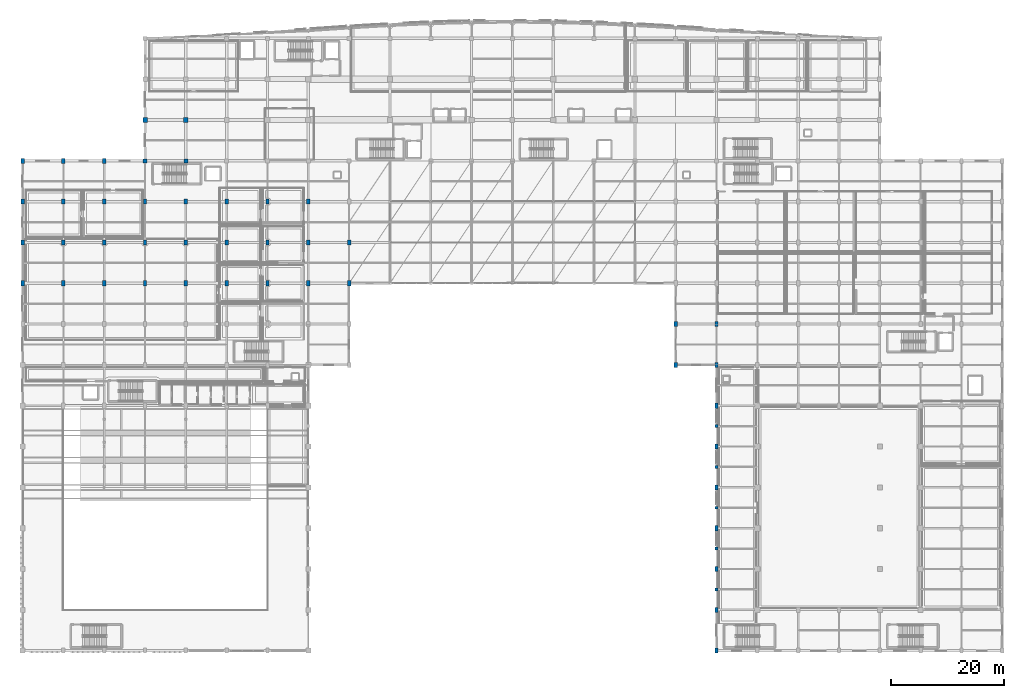
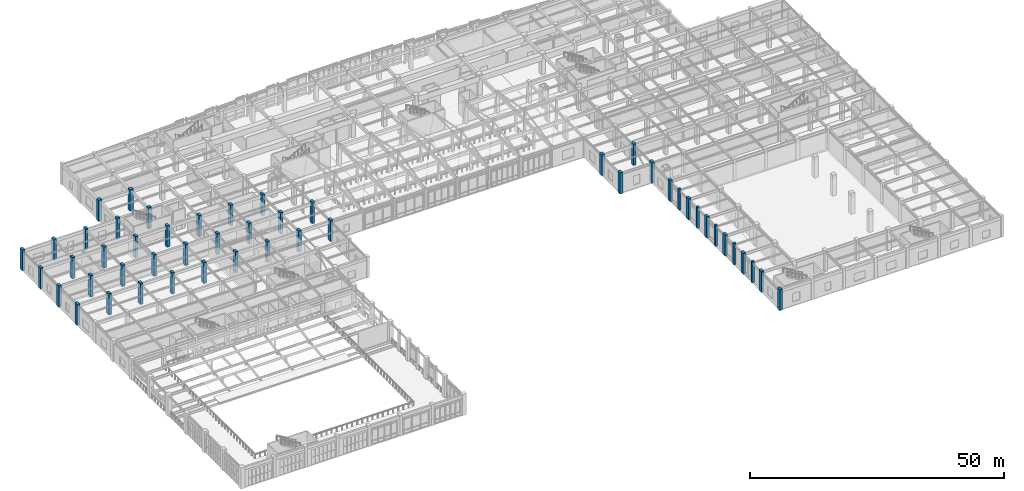
# One storey, part 4 of 117: 49 columns.
"""IFC4 building model written with IfcOpenShell, lengths in metres."""

from ifc_helpers import new_model, si_unit, direction, frame, origin, origin_2d, place, context, subcontext, project, spatial, rectangle, extrude, material, material_profile, profile_set, type_object, element, save


model = new_model("IFC4")

# Units and contexts
model_context = context("Model", 3, precision=1e-05, world=origin(), true_north=direction((0.0, 1.0)))
body_context = subcontext(model_context, "Body", "Model", "MODEL_VIEW")
ifc_project = project(units=[si_unit("LENGTHUNIT", "METRE"), si_unit("AREAUNIT", "SQUARE_METRE"), si_unit("VOLUMEUNIT", "CUBIC_METRE"), si_unit("PLANEANGLEUNIT", "RADIAN"), si_unit("MASSUNIT", "GRAM", prefix="KILO")], contexts=[model_context])

# Site, building, storey
site_placement = place(None, origin())
site = spatial("IfcSite", under=ifc_project, at=site_placement, CompositionType="ELEMENT")
building_placement = place(site_placement, origin())
building = spatial("IfcBuilding", under=site, at=building_placement, Name="Carrowvane Square Congress Hotel", CompositionType="ELEMENT")
storey_placement = place(building_placement, frame((0.0, 0.0, 5.39990234375)))
storey = spatial("IfcBuildingStorey", under=building, at=storey_placement, Name="L01", CompositionType="ELEMENT", Elevation=5.39990234375)

# Columns
ifc_material_1 = material(Name="Concrete C40/50", Category="concrete")
ifc_material_profile_1 = material_profile(ifc_material_1, rectangle(XDim=0.60009765625, YDim=0.89990234375, at=origin_2d()), Name="RC 600x900")
ifc_profile_set_1 = profile_set([ifc_material_profile_1], Name="Concrete C40/50")
column_type_1 = type_object("IfcColumnType", Name="COL-RC-600x900", PredefinedType="COLUMN", material=ifc_profile_set_1)
for number, where, z_axis, x_axis, name in (
    (1, (11.60009765625, 70.199951171875, 0.0), (0.0, 0.0, 1.0), (1.0, 0.0, 0.0), "L01 column 1/K"),
    (2, (11.60009765625, 77.39990234375, 0.0), (0.0, 0.0, 1.0), (1.0, 0.0, 0.0), "L01 column 1/L"),
    (3, (11.60009765625, 84.60009765625, 0.0), (0.0, 0.0, 1.0), (1.0, 0.0, 0.0), "L01 column 1/M"),
    (4, (11.60009765625, 91.800048828125, 0.0), (0.0, 0.0, 1.0), (1.0, 0.0, 0.0), "L01 column 1/N"),
    (5, (18.800048828125, 70.199951171875, 0.0), (0.0, 0.0, 1.0), (1.0, 0.0, 0.0), "L01 column 2/K"),
    (6, (18.800048828125, 77.39990234375, 0.0), (0.0, 0.0, 1.0), (1.0, 0.0, 0.0), "L01 column 2/L"),
    (7, (18.800048828125, 84.60009765625, 0.0), (0.0, 0.0, 1.0), (1.0, 0.0, 0.0), "L01 column 2/M"),
    (8, (18.800048828125, 91.800048828125, 0.0), (0.0, 0.0, 1.0), (1.0, 0.0, 0.0), "L01 column 2/N"),
    (9, (26.0, 70.199951171875, 0.0), (0.0, 0.0, 1.0), (1.0, 0.0, 0.0), "L01 column 3/K"),
    (10, (26.0, 77.39990234375, 0.0), (0.0, 0.0, 1.0), (1.0, 0.0, 0.0), "L01 column 3/L"),
    (11, (26.0, 84.60009765625, 0.0), (0.0, 0.0, 1.0), (1.0, 0.0, 0.0), "L01 column 3/M"),
    (12, (26.0, 91.800048828125, 0.0), (0.0, 0.0, 1.0), (1.0, 0.0, 0.0), "L01 column 3/N"),
    (13, (33.199951171875, 70.199951171875, 0.0), (0.0, 0.0, 1.0), (1.0, 0.0, 0.0), "L01 column 4/K"),
    (14, (33.199951171875, 77.39990234375, 0.0), (0.0, 0.0, 1.0), (1.0, 0.0, 0.0), "L01 column 4/L"),
    (15, (33.199951171875, 84.60009765625, 0.0), (0.0, 0.0, 1.0), (1.0, 0.0, 0.0), "L01 column 4/M"),
    (16, (40.39990234375, 70.199951171875, 0.0), (0.0, 0.0, 1.0), (1.0, 0.0, 0.0), "L01 column 5/K"),
    (17, (40.39990234375, 77.39990234375, 0.0), (0.0, 0.0, 1.0), (1.0, 0.0, 0.0), "L01 column 5/L"),
    (18, (40.39990234375, 84.60009765625, 0.0), (0.0, 0.0, 1.0), (1.0, 0.0, 0.0), "L01 column 5/M"),
    (19, (47.60009765625, 70.199951171875, 0.0), (0.0, 0.0, 1.0), (1.0, 0.0, 0.0), "L01 column 6/K"),
    (20, (47.60009765625, 77.39990234375, 0.0), (0.0, 0.0, 1.0), (1.0, 0.0, 0.0), "L01 column 6/L"),
    (21, (47.60009765625, 84.60009765625, 0.0), (0.0, 0.0, 1.0), (1.0, 0.0, 0.0), "L01 column 6/M"),
    (22, (54.800048828125, 70.199951171875, 0.0), (0.0, 0.0, 1.0), (1.0, 0.0, 0.0), "L01 column 7/K"),
    (23, (54.800048828125, 77.39990234375, 0.0), (0.0, 0.0, 1.0), (1.0, 0.0, 0.0), "L01 column 7/L"),
    (24, (54.800048828125, 84.60009765625, 0.0), (0.0, 0.0, 1.0), (1.0, 0.0, 0.0), "L01 column 7/M"),
    (25, (62.0, 70.199951171875, 0.0), (0.0, 0.0, 1.0), (1.0, 0.0, 0.0), "L01 column 8/K"),
    (26, (62.0, 77.39990234375, 0.0), (0.0, 0.0, 1.0), (1.0, 0.0, 0.0), "L01 column 8/L"),
    (27, (62.0, 84.60009765625, 0.0), (0.0, 0.0, 1.0), (1.0, 0.0, 0.0), "L01 column 8/M"),
    (28, (69.199951171875, 70.199951171875, 0.0), (0.0, 0.0, 1.0), (1.0, 0.0, 0.0), "L01 column 9/K"),
    (29, (69.199951171875, 77.39990234375, 0.0), (0.0, 0.0, 1.0), (1.0, 0.0, 0.0), "L01 column 9/L"),
    (30, (126.800048828125, 55.800048828125, 0.0), (0.0, 0.0, 1.0), (1.0, 0.0, 0.0), "L01 column 17/H"),
    (31, (126.800048828125, 63.0, 0.0), (0.0, 0.0, 1.0), (1.0, 0.0, 0.0), "L01 column 17/J"),
    (32, (134.0, 5.39990234375, 0.0), (0.0, 0.0, 1.0), (1.0, 0.0, 0.0), "L01 column 18/A"),
    (33, (134.0, 12.60009765625, 0.0), (0.0, 0.0, 1.0), (1.0, 0.0, 0.0), "L01 column 18/B"),
    (34, (134.0, 19.800048828125, 0.0), (0.0, 0.0, 1.0), (1.0, 0.0, 0.0), "L01 column 18/C"),
    (35, (134.0, 27.0, 0.0), (0.0, 0.0, 1.0), (1.0, 0.0, 0.0), "L01 column 18/D"),
    (36, (134.0, 34.199951171875, 0.0), (0.0, 0.0, 1.0), (1.0, 0.0, 0.0), "L01 column 18/E"),
    (37, (134.0, 41.39990234375, 0.0), (0.0, 0.0, 1.0), (1.0, 0.0, 0.0), "L01 column 18/F"),
    (38, (134.0, 48.60009765625, 0.0), (0.0, 0.0, 1.0), (1.0, 0.0, 0.0), "L01 column 18/G"),
    (39, (134.0, 55.800048828125, 0.0), (0.0, 0.0, 1.0), (1.0, 0.0, 0.0), "L01 column 18/H"),
    (40, (134.0, 63.0, 0.0), (0.0, 0.0, 1.0), (1.0, 0.0, 0.0), "L01 column 18/J"),
):
    element("IfcColumn", number, at=place(storey_placement, frame(where, z_axis=z_axis, x_axis=x_axis)), inside=storey, type_object=column_type_1, Name=name, PredefinedType="COLUMN", context=body_context, shape_type="SweptSolid", body=[
        extrude(rectangle(XDim=0.60009765625, YDim=0.89990234375, at=origin_2d()), origin(), (0.0, 0.0, 1.0), 5.10009765625),
    ])
ifc_material_2 = material(Name="Concrete C40/50", Category="concrete")
ifc_material_profile_2 = material_profile(ifc_material_2, rectangle(XDim=0.699951171875, YDim=0.699951171875, at=origin_2d()), Name="RC 700x700")
ifc_profile_set_2 = profile_set([ifc_material_profile_2], Name="Concrete C40/50")
column_type_2 = type_object("IfcColumnType", Name="COL-RC-700", PredefinedType="COLUMN", material=ifc_profile_set_2)
for number, where, z_axis, x_axis, name in (
    (41, (33.199951171875, 91.800048828125, 0.0), (0.0, 0.0, 1.0), (1.0, 0.0, 0.0), "L01 column 4/N"),
    (42, (40.39990234375, 91.800048828125, 0.0), (0.0, 0.0, 1.0), (1.0, 0.0, 0.0), "L01 column 5/N"),
):
    element("IfcColumn", number, at=place(storey_placement, frame(where, z_axis=z_axis, x_axis=x_axis)), inside=storey, type_object=column_type_2, Name=name, PredefinedType="COLUMN", context=body_context, shape_type="SweptSolid", body=[
        extrude(rectangle(XDim=0.699951171875, YDim=0.699951171875, at=origin_2d()), origin(), (0.0, 0.0, 1.0), 5.10009765625),
    ])
ifc_material_3 = material(Name="Concrete C40/50", Category="concrete")
ifc_material_profile_3 = material_profile(ifc_material_3, rectangle(XDim=0.800048828125, YDim=0.800048828125, at=origin_2d()), Name="RC 800x800")
ifc_profile_set_3 = profile_set([ifc_material_profile_3], Name="Concrete C40/50")
column_type_3 = type_object("IfcColumnType", Name="COL-RC-800", PredefinedType="COLUMN", material=ifc_profile_set_3)
for number, where, z_axis, x_axis, name in (
    (43, (33.199951171875, 99.0, 0.0), (0.0, 0.0, 1.0), (1.0, 0.0, 0.0), "L01 column 4/P"),
    (44, (40.39990234375, 99.0, 0.0), (0.0, 0.0, 1.0), (1.0, 0.0, 0.0), "L01 column 5/P"),
):
    element("IfcColumn", number, at=place(storey_placement, frame(where, z_axis=z_axis, x_axis=x_axis)), inside=storey, type_object=column_type_3, Name=name, PredefinedType="COLUMN", context=body_context, shape_type="SweptSolid", body=[
        extrude(rectangle(XDim=0.800048828125, YDim=0.800048828125, at=origin_2d()), origin(), (0.0, 0.0, 1.0), 5.10009765625),
    ])
ifc_material_4 = material(Name="Precast concrete C40/50", Category="concrete")
ifc_material_profile_4 = material_profile(ifc_material_4, rectangle(XDim=0.5, YDim=0.5, at=origin_2d()), Name="RC 500x500")
ifc_profile_set_4 = profile_set([ifc_material_profile_4], Name="Precast concrete C40/50")
column_type_4 = type_object("IfcColumnType", Name="PIL-PC-500", PredefinedType="PILASTER", material=ifc_profile_set_4)
for number, where, z_axis, x_axis, name in (
    (45, (134.0, 16.199951171875, 0.0), (0.0, 0.0, 1.0), (1.0, 0.0, 0.0), "L01 colonnade limestone pilaster 6"),
    (46, (134.0, 23.39990234375, 0.0), (0.0, 0.0, 1.0), (1.0, 0.0, 0.0), "L01 colonnade limestone pilaster 7"),
    (47, (134.0, 30.60009765625, 0.0), (0.0, 0.0, 1.0), (1.0, 0.0, 0.0), "L01 colonnade limestone pilaster 8"),
    (48, (134.0, 37.800048828125, 0.0), (0.0, 0.0, 1.0), (1.0, 0.0, 0.0), "L01 colonnade limestone pilaster 9"),
    (49, (134.0, 45.0, 0.0), (0.0, 0.0, 1.0), (1.0, 0.0, 0.0), "L01 colonnade limestone pilaster 10"),
):
    element("IfcColumn", number, at=place(storey_placement, frame(where, z_axis=z_axis, x_axis=x_axis)), inside=storey, type_object=column_type_4, Name=name, PredefinedType="PILASTER", context=body_context, shape_type="SweptSolid", body=[
        extrude(rectangle(XDim=0.5, YDim=0.5, at=origin_2d()), origin(), (0.0, 0.0, 1.0), 5.10009765625),
    ])

save(model, "model.ifc")
